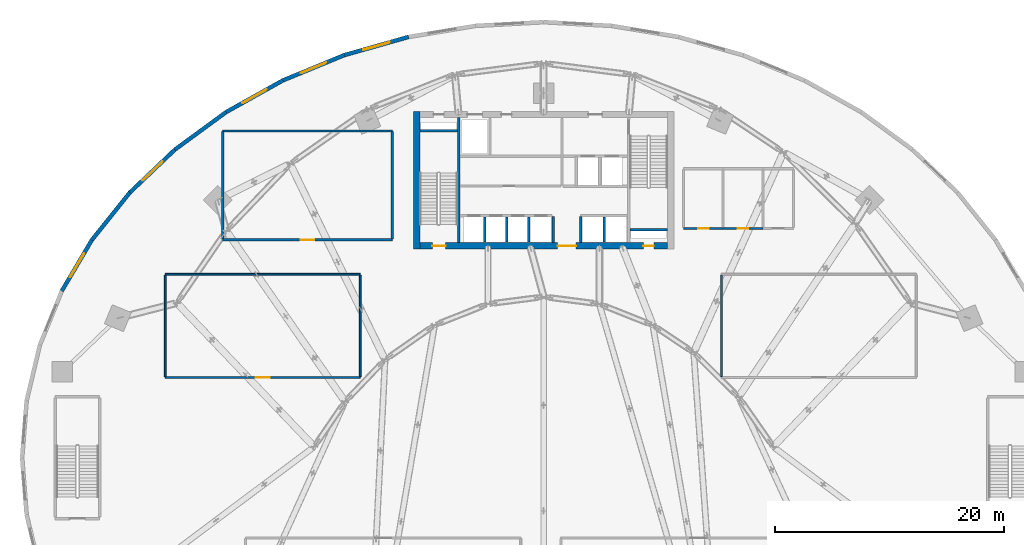
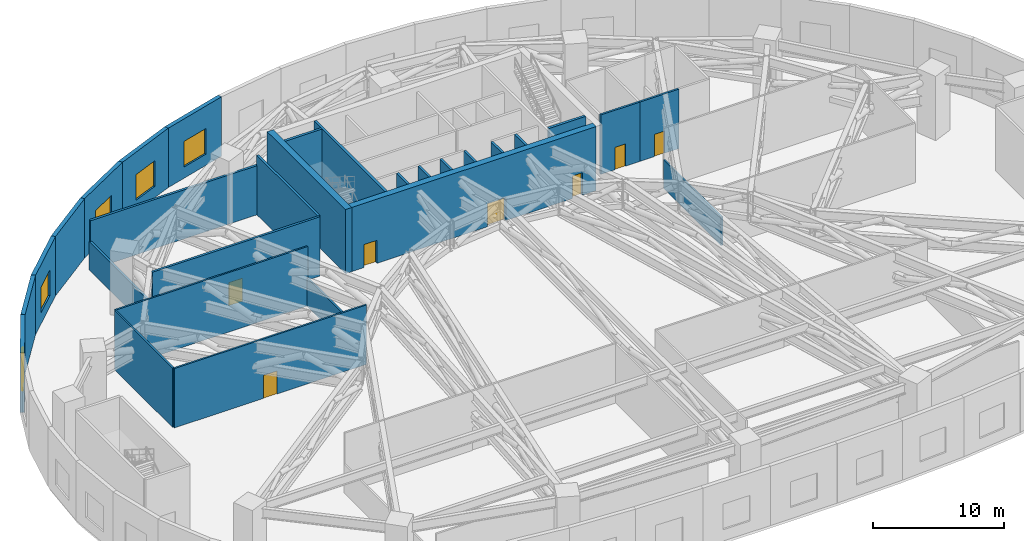
# One storey, part 14 of 19: 29 walls, 7 doors, 5 windows, 12 openings.
"""IFC4 building model written with IfcOpenShell, lengths in metres."""

from ifc_helpers import new_model, si_unit, direction, frame, frame_2d, origin, place, context, subcontext, project, spatial, rectangle, extrude, source, transform, mapped, material, layer, layer_set, type_object, type_shapes, element, fill, save


model = new_model("IFC4")

# Units and contexts
model_context = context("Model", 3, precision=1e-05, world=origin(), true_north=direction((0.0, 1.0)))
body_context = subcontext(model_context, "Body", "Model", "MODEL_VIEW")
ifc_project = project(units=[si_unit("LENGTHUNIT", "METRE"), si_unit("AREAUNIT", "SQUARE_METRE"), si_unit("VOLUMEUNIT", "CUBIC_METRE"), si_unit("PLANEANGLEUNIT", "RADIAN"), si_unit("MASSUNIT", "GRAM", prefix="KILO")], contexts=[model_context])

# Site, building, storey
site_placement = place(None, origin())
site = spatial("IfcSite", under=ifc_project, at=site_placement, CompositionType="ELEMENT")
building_placement = place(site_placement, origin())
building = spatial("IfcBuilding", under=site, at=building_placement, Name="Breltana Convention Tower", CompositionType="ELEMENT")
storey_placement = place(building_placement, frame((0.0, 0.0, 24.0)))
storey = spatial("IfcBuildingStorey", under=building, at=storey_placement, Name="L04", CompositionType="ELEMENT", Elevation=24.0)

# Wall
ifc_material_1 = material(Name="Concrete C60/75", Category="concrete")
ifc_layer_1 = layer(ifc_material_1, 0.550048828125, Name="Concrete C60/75")
ifc_layer_set_1 = layer_set([ifc_layer_1], Name="Concrete C60/75")
wall_type_1 = type_object("IfcWallType", Name="SW-CORE-550", PredefinedType="SHEAR", material=ifc_layer_set_1)
shared_shape_1 = source(origin(), body_context, "Body", "SweptSolid", [
    extrude(rectangle(XDim=12.0, YDim=0.550048828125, at=frame_2d((6.0, 0.0))), origin(), (0.0, 0.0, 1.0), 6.0),
])
wall_1_placement = place(storey_placement, frame((36.925048828125, 60.199951171875, 0.0), z_axis=(0.0, 0.0, 1.0), x_axis=(0.0, 1.0, 0.0)))
element("IfcWall", 1, at=wall_1_placement, inside=storey, type_object=wall_type_1, Name="L04 West Core Shear Wall", PredefinedType="SHEAR", context=body_context, shape_type="MappedRepresentation", body=[
    mapped(shared_shape_1, transform((0.0, 0.0, 0.0), scale=1.0)),
])

# Wall, openings, doors
shared_shape_2 = source(origin(), body_context, "Body", "SweptSolid", [
    extrude(rectangle(XDim=21.60009765625, YDim=0.550048828125, at=frame_2d((10.800048828125, 0.0))), origin(), (0.0, 0.0, 1.0), 6.0),
])
wall_2_placement = place(storey_placement, frame((37.199951171875, 60.47509765625, 0.0), z_axis=(0.0, 0.0, 1.0), x_axis=(1.0, 0.0, 0.0)))
wall_2 = element("IfcWall", 2, at=wall_2_placement, inside=storey, type_object=wall_type_1, Name="L04 South Core Shear Wall", PredefinedType="SHEAR", context=body_context, shape_type="MappedRepresentation", body=[
    mapped(shared_shape_2, transform((0.0, 0.0, 0.0), scale=1.0)),
])
opening_1_placement = place(wall_2_placement, frame((1.10009765625, 0.0, 0.0)))
opening_1 = element("IfcOpeningElement", 3, at=opening_1_placement, cuts=wall_2, Name="Opening D-11", PredefinedType="OPENING", context=body_context, shape_type="SweptSolid", body=[
    extrude(rectangle(XDim=1.14990234375, YDim=2.14990234375, at=frame_2d((0.574951171875, 1.074951171875))), frame((0.0, 0.28515625, 0.0), z_axis=(0.0, -1.0, 0.0), x_axis=(1.0, 0.0, 0.0)), (0.0, 0.0, 1.0), 0.570068359375),
])
opening_2_placement = place(wall_2_placement, frame((19.5, 0.0, 0.0)))
opening_2 = element("IfcOpeningElement", 4, at=opening_2_placement, cuts=wall_2, Name="Opening D-18", PredefinedType="OPENING", context=body_context, shape_type="SweptSolid", body=[
    extrude(rectangle(XDim=0.89990234375, YDim=2.10009765625, at=frame_2d((0.449951171875, 1.050048828125))), frame((0.0, 0.28515625, 0.0), z_axis=(0.0, -1.0, 0.0), x_axis=(1.0, 0.0, 0.0)), (0.0, 0.0, 1.0), 0.570068359375),
])
opening_3_placement = place(wall_2_placement, frame((12.02001953125, 0.0, 0.0)))
opening_3 = element("IfcOpeningElement", 5, at=opening_3_placement, cuts=wall_2, Name="Opening D-02", PredefinedType="OPENING", context=body_context, shape_type="SweptSolid", body=[
    extrude(rectangle(XDim=1.60009765625, YDim=2.14990234375, at=frame_2d((0.800048828125, 1.074951171875))), frame((0.0, 0.28515625, 0.0), z_axis=(0.0, -1.0, 0.0), x_axis=(1.0, 0.0, 0.0)), (0.0, 0.0, 1.0), 0.570068359375),
])
ifc_material_2 = material(Name="Steel Stair Exit Door", Category="steel")
door_type_1 = type_object("IfcDoorType", Name="DR-FD120-1150", OperationType="NOTDEFINED", PredefinedType="DOOR", material=ifc_material_2)
shared_shape_3 = source(origin(), body_context, "Body", "SweptSolid", [
    extrude(rectangle(XDim=1.14990234375, YDim=2.14990234375, at=frame_2d((0.574951171875, 1.074951171875))), frame((0.0, 0.02490234375, 0.0), z_axis=(0.0, -1.0, 0.0), x_axis=(1.0, 0.0, 0.0)), (0.0, 0.0, 1.0), 0.050048828125),
])
type_shapes(door_type_1, [shared_shape_3])
door_1_placement = place(opening_1_placement, origin())
door_1 = element("IfcDoor", 6, at=door_1_placement, inside=storey, type_object=door_type_1, Name="L04 interior door D-L04-ST1", OperationType="SINGLE_SWING_LEFT", OverallHeight=2.14990234375, OverallWidth=1.14990234375, PredefinedType="DOOR", context=body_context, shape_type="MappedRepresentation", body=[
    mapped(shared_shape_3, transform((0.0, 0.0, 0.0), scale=1.0)),
])
fill(opening_1, door_1)
ifc_material_3 = material(Name="Steel Riser Fire Door", Category="steel")
door_type_2 = type_object("IfcDoorType", Name="DR-FD60-900", OperationType="NOTDEFINED", PredefinedType="DOOR", material=ifc_material_3)
shared_shape_4 = source(origin(), body_context, "Body", "SweptSolid", [
    extrude(rectangle(XDim=0.89990234375, YDim=2.10009765625, at=frame_2d((0.449951171875, 1.050048828125))), frame((0.0, 0.02490234375, 0.0), z_axis=(0.0, -1.0, 0.0), x_axis=(1.0, 0.0, 0.0)), (0.0, 0.0, 1.0), 0.050048828125),
])
type_shapes(door_type_2, [shared_shape_4])
door_2_placement = place(opening_2_placement, origin())
door_2 = element("IfcDoor", 7, at=door_2_placement, inside=storey, type_object=door_type_2, Name="L04 Core Riser Access Door D-L04-RS2", OperationType="SINGLE_SWING_RIGHT", OverallHeight=2.10009765625, OverallWidth=0.89990234375, PredefinedType="DOOR", context=body_context, shape_type="MappedRepresentation", body=[
    mapped(shared_shape_4, transform((0.0, 0.0, 0.0), scale=1.0)),
])
fill(opening_2, door_2)
ifc_material_4 = material(Name="Steel Glazed Smoke-Control Door", Category="steel")
door_type_3 = type_object("IfcDoorType", Name="DR-DBL-FD90-1600", OperationType="DOUBLE_DOOR_SINGLE_SWING", PredefinedType="DOOR", material=ifc_material_4)
shared_shape_5 = source(origin(), body_context, "Body", "SweptSolid", [
    extrude(rectangle(XDim=1.60009765625, YDim=2.14990234375, at=frame_2d((0.800048828125, 1.074951171875))), frame((0.0, 0.02490234375, 0.0), z_axis=(0.0, -1.0, 0.0), x_axis=(1.0, 0.0, 0.0)), (0.0, 0.0, 1.0), 0.050048828125),
])
type_shapes(door_type_3, [shared_shape_5])
door_3_placement = place(opening_3_placement, origin())
door_3 = element("IfcDoor", 8, at=door_3_placement, inside=storey, type_object=door_type_3, Name="L04 interior door D-L04-LLB-S", OperationType="DOUBLE_DOOR_SINGLE_SWING", OverallHeight=2.14990234375, OverallWidth=1.60009765625, PredefinedType="DOOR", context=body_context, shape_type="MappedRepresentation", body=[
    mapped(shared_shape_5, transform((0.0, 0.0, 0.0), scale=1.0)),
])
fill(opening_3, door_3)

# Walls
ifc_material_5 = material(Name="Concrete C50/60", Category="concrete")
ifc_layer_2 = layer(ifc_material_5, 0.39990234375, Name="Concrete C50/60")
ifc_layer_set_2 = layer_set([ifc_layer_2], Name="Concrete C50/60")
wall_type_2 = type_object("IfcWallType", Name="SW-CORE-400", PredefinedType="SHEAR", material=ifc_layer_set_2)
shared_shape_6 = source(origin(), body_context, "Body", "SweptSolid", [
    extrude(rectangle(XDim=3.27001953125, YDim=0.219970703125, at=frame_2d((1.635009765625, 0.0))), origin(), (0.0, 0.0, 1.0), 6.0),
])
for number, where, z_axis, x_axis, name in (
    (9, (37.199951171875, 70.510009765625, 0.0), (0.0, 0.0, 1.0), (1.0, 0.0, 0.0), "L04 ST-1 Stairwell North Bearing Wall"),
    (10, (55.530029296875, 61.889892578125, 0.0), (0.0, 0.0, 1.0), (1.0, 0.0, 0.0), "L04 ST-2 Stairwell South Bearing Wall"),
):
    element("IfcWall", number, at=place(storey_placement, frame(where, z_axis=z_axis, x_axis=x_axis)), inside=storey, type_object=wall_type_2, Name=name, PredefinedType="SHEAR", context=body_context, shape_type="MappedRepresentation", body=[
        mapped(shared_shape_6, transform((0.0, 0.0, 0.0), scale=1.0)),
    ])
shared_shape_7 = source(origin(), body_context, "Body", "SweptSolid", [
    extrude(rectangle(XDim=10.89990234375, YDim=0.219970703125, at=frame_2d((5.449951171875, 0.0))), origin(), (0.0, 0.0, 1.0), 6.0),
])
wall_3_placement = place(storey_placement, frame((40.580078125, 60.75, 0.0), z_axis=(0.0, 0.0, 1.0), x_axis=(0.0, 1.0, 0.0)))
element("IfcWall", 11, at=wall_3_placement, inside=storey, type_object=wall_type_2, Name="L04 Core West Stair Spine Wall", PredefinedType="SHEAR", context=body_context, shape_type="MappedRepresentation", body=[
    mapped(shared_shape_7, transform((0.0, 0.0, 0.0), scale=1.0)),
])

# Wall, opening, window
ifc_material_6 = material(Name="Limestone Buff Insulated Wall", Category="masonry")
ifc_layer_3 = layer(ifc_material_6, 0.35009765625, Name="Limestone Buff Insulated Wall")
ifc_layer_set_3 = layer_set([ifc_layer_3], Name="Limestone Buff Insulated Wall")
wall_type_3 = type_object("IfcWallType", Name="WL-EXT-POD-350", PredefinedType="SOLIDWALL", material=ifc_layer_set_3)
shared_shape_8 = source(origin(), body_context, "Body", "SweptSolid", [
    extrude(rectangle(XDim=5.17724609375, YDim=0.35009765625, at=frame_2d((2.588623046875, 0.0))), origin(), (0.0, 0.0, 1.0), 5.550048828125),
])
wall_4_placement = place(storey_placement, frame((8.595703125, 61.0, 0.0), z_axis=(0.0, 0.0, 1.0), x_axis=(-0.508449663637, -0.861091713784, 0.0)))
wall_4 = element("IfcWall", 12, at=wall_4_placement, inside=storey, type_object=wall_type_3, Name="L04 limestone facade wall 21", PredefinedType="SOLIDWALL", context=body_context, shape_type="MappedRepresentation", body=[
    mapped(shared_shape_8, transform((0.0, 0.0, 0.0), scale=1.0)),
])
opening_4_placement = place(wall_4_placement, frame((1.388671875, 0.0, 1.050048828125)))
opening_4 = element("IfcOpeningElement", 13, at=opening_4_placement, cuts=wall_4, Name="Opening W-02", PredefinedType="OPENING", context=body_context, shape_type="SweptSolid", body=[
    extrude(rectangle(XDim=2.39990234375, YDim=2.39990234375, at=frame_2d((1.199951171875, 1.199951171875))), frame((0.0, 0.18505859375, 0.0), z_axis=(0.0, -1.0, 0.0), x_axis=(1.0, 0.0, 0.0)), (0.0, 0.0, 1.0), 0.3701171875),
])
ifc_material_7 = material(Name="Glass Low-E Insulated Window", Category="glass")
window_type = type_object("IfcWindowType", Name="WN-POD-2400X2400", PartitioningType="DOUBLE_PANEL_VERTICAL", PredefinedType="WINDOW", material=ifc_material_7)
shared_shape_9 = source(origin(), body_context, "Body", "SweptSolid", [
    extrude(rectangle(XDim=2.39990234375, YDim=2.39990234375, at=frame_2d((1.199951171875, 1.199951171875))), frame((0.0, 0.030029296875, 0.0), z_axis=(0.0, -1.0, 0.0), x_axis=(1.0, 0.0, 0.0)), (0.0, 0.0, 1.0), 0.06005859375),
])
type_shapes(window_type, [shared_shape_9])
window_1_placement = place(opening_4_placement, origin())
window_1 = element("IfcWindow", 14, at=window_1_placement, inside=storey, type_object=window_type, Name="L04 tripartite window 21.1", OverallHeight=2.39990234375, OverallWidth=2.39990234375, PartitioningType="DOUBLE_PANEL_VERTICAL", PredefinedType="WINDOW", context=body_context, shape_type="MappedRepresentation", body=[
    mapped(shared_shape_9, transform((0.0, 0.0, 0.0), scale=1.0)),
])
fill(opening_4, window_1)

# Wall
shared_shape_10 = source(origin(), body_context, "Body", "SweptSolid", [
    extrude(rectangle(XDim=5.292724609375, YDim=0.35009765625, at=frame_2d((2.646484375, 0.0))), origin(), (0.0, 0.0, 1.0), 5.550048828125),
])
wall_5_placement = place(storey_placement, frame((11.90234375, 65.1328125, 0.0), z_axis=(0.0, 0.0, 1.0), x_axis=(-0.624740048177, -0.780832806818, 0.0)))
element("IfcWall", 15, at=wall_5_placement, inside=storey, type_object=wall_type_3, Name="L04 limestone facade wall 20", PredefinedType="SOLIDWALL", context=body_context, shape_type="MappedRepresentation", body=[
    mapped(shared_shape_10, transform((0.0, 0.0, 0.0), scale=1.0)),
])

# Wall, opening, window
shared_shape_11 = source(origin(), body_context, "Body", "SweptSolid", [
    extrude(rectangle(XDim=5.419189453125, YDim=0.35009765625, at=frame_2d((2.70947265625, 0.0))), origin(), (0.0, 0.0, 1.0), 5.550048828125),
])
wall_6_placement = place(storey_placement, frame((15.82666015625, 68.8701171875, 0.0), z_axis=(0.0, 0.0, 1.0), x_axis=(-0.724150787336, -0.689641673046, 0.0)))
wall_6 = element("IfcWall", 16, at=wall_6_placement, inside=storey, type_object=wall_type_3, Name="L04 limestone facade wall 19", PredefinedType="SOLIDWALL", context=body_context, shape_type="MappedRepresentation", body=[
    mapped(shared_shape_11, transform((0.0, 0.0, 0.0), scale=1.0)),
])
opening_5_placement = place(wall_6_placement, frame((1.509521484375, 0.0, 1.050048828125)))
opening_5 = element("IfcOpeningElement", 17, at=opening_5_placement, cuts=wall_6, Name="Opening W-02", PredefinedType="OPENING", context=body_context, shape_type="SweptSolid", body=[
    extrude(rectangle(XDim=2.39990234375, YDim=2.39990234375, at=frame_2d((1.199951171875, 1.199951171875))), frame((0.0, 0.18505859375, 0.0), z_axis=(0.0, -1.0, 0.0), x_axis=(1.0, 0.0, 0.0)), (0.0, 0.0, 1.0), 0.3701171875),
])
window_2_placement = place(opening_5_placement, origin())
window_2 = element("IfcWindow", 18, at=window_2_placement, inside=storey, type_object=window_type, Name="L04 tripartite window 19.1", OverallHeight=2.39990234375, OverallWidth=2.39990234375, PartitioningType="DOUBLE_PANEL_VERTICAL", PredefinedType="WINDOW", context=body_context, shape_type="MappedRepresentation", body=[
    mapped(shared_shape_9, transform((0.0, 0.0, 0.0), scale=1.0)),
])
fill(opening_5, window_2)

# Wall
shared_shape_12 = source(origin(), body_context, "Body", "SweptSolid", [
    extrude(rectangle(XDim=5.546630859375, YDim=0.35009765625, at=frame_2d((2.7734375, 0.0))), origin(), (0.0, 0.0, 1.0), 5.550048828125),
])
wall_7_placement = place(storey_placement, frame((20.301513671875, 72.1474609375, 0.0), z_axis=(0.0, 0.0, 1.0), x_axis=(-0.806767275837, -0.590869327887, 0.0)))
element("IfcWall", 19, at=wall_7_placement, inside=storey, type_object=wall_type_3, Name="L04 limestone facade wall 18", PredefinedType="SOLIDWALL", context=body_context, shape_type="MappedRepresentation", body=[
    mapped(shared_shape_12, transform((0.0, 0.0, 0.0), scale=1.0)),
])

# Wall, opening, window
shared_shape_13 = source(origin(), body_context, "Body", "SweptSolid", [
    extrude(rectangle(XDim=5.666748046875, YDim=0.35009765625, at=frame_2d((2.83349609375, 0.0))), origin(), (0.0, 0.0, 1.0), 5.550048828125),
])
wall_8_placement = place(storey_placement, frame((25.25, 74.908935546875, 0.0), z_axis=(0.0, 0.0, 1.0), x_axis=(-0.873233089296, -0.487302751642, 0.0)))
wall_8 = element("IfcWall", 20, at=wall_8_placement, inside=storey, type_object=wall_type_3, Name="L04 limestone facade wall 17", PredefinedType="SOLIDWALL", context=body_context, shape_type="MappedRepresentation", body=[
    mapped(shared_shape_13, transform((0.0, 0.0, 0.0), scale=1.0)),
])
opening_6_placement = place(wall_8_placement, frame((1.633544921875, 0.0, 1.050048828125)))
opening_6 = element("IfcOpeningElement", 21, at=opening_6_placement, cuts=wall_8, Name="Opening W-02", PredefinedType="OPENING", context=body_context, shape_type="SweptSolid", body=[
    extrude(rectangle(XDim=2.39990234375, YDim=2.39990234375, at=frame_2d((1.199951171875, 1.199951171875))), frame((0.0, 0.18505859375, 0.0), z_axis=(0.0, -1.0, 0.0), x_axis=(1.0, 0.0, 0.0)), (0.0, 0.0, 1.0), 0.3701171875),
])
window_3_placement = place(opening_6_placement, origin())
window_3 = element("IfcWindow", 22, at=window_3_placement, inside=storey, type_object=window_type, Name="L04 tripartite window 17.1", OverallHeight=2.39990234375, OverallWidth=2.39990234375, PartitioningType="DOUBLE_PANEL_VERTICAL", PredefinedType="WINDOW", context=body_context, shape_type="MappedRepresentation", body=[
    mapped(shared_shape_9, transform((0.0, 0.0, 0.0), scale=1.0)),
])
fill(opening_6, window_3)

shared_shape_14 = source(origin(), body_context, "Body", "SweptSolid", [
    extrude(rectangle(XDim=5.77294921875, YDim=0.35009765625, at=frame_2d((2.886474609375, 0.0))), origin(), (0.0, 0.0, 1.0), 5.550048828125),
])
wall_9_placement = place(storey_placement, frame((30.587890625, 77.107421875, 0.0), z_axis=(0.0, 0.0, 1.0), x_axis=(-0.924645688874, -0.380828504771, 0.0)))
wall_9 = element("IfcWall", 23, at=wall_9_placement, inside=storey, type_object=wall_type_3, Name="L04 limestone facade wall 16", PredefinedType="SOLIDWALL", context=body_context, shape_type="MappedRepresentation", body=[
    mapped(shared_shape_14, transform((0.0, 0.0, 0.0), scale=1.0)),
])
opening_7_placement = place(wall_9_placement, frame((1.686279296875, 0.0, 1.050048828125)))
opening_7 = element("IfcOpeningElement", 24, at=opening_7_placement, cuts=wall_9, Name="Opening W-02", PredefinedType="OPENING", context=body_context, shape_type="SweptSolid", body=[
    extrude(rectangle(XDim=2.39990234375, YDim=2.39990234375, at=frame_2d((1.199951171875, 1.199951171875))), frame((0.0, 0.18505859375, 0.0), z_axis=(0.0, -1.0, 0.0), x_axis=(1.0, 0.0, 0.0)), (0.0, 0.0, 1.0), 0.3701171875),
])
window_4_placement = place(opening_7_placement, origin())
window_4 = element("IfcWindow", 25, at=window_4_placement, inside=storey, type_object=window_type, Name="L04 tripartite window 16.1", OverallHeight=2.39990234375, OverallWidth=2.39990234375, PartitioningType="DOUBLE_PANEL_VERTICAL", PredefinedType="WINDOW", context=body_context, shape_type="MappedRepresentation", body=[
    mapped(shared_shape_9, transform((0.0, 0.0, 0.0), scale=1.0)),
])
fill(opening_7, window_4)

shared_shape_15 = source(origin(), body_context, "Body", "SweptSolid", [
    extrude(rectangle(XDim=5.85791015625, YDim=0.35009765625, at=frame_2d((2.928955078125, 0.0))), origin(), (0.0, 0.0, 1.0), 5.550048828125),
])
wall_10_placement = place(storey_placement, frame((36.2236328125, 78.705078125, 0.0), z_axis=(0.0, 0.0, 1.0), x_axis=(-0.962088093248, -0.272738887637, 0.0)))
wall_10 = element("IfcWall", 26, at=wall_10_placement, inside=storey, type_object=wall_type_3, Name="L04 limestone facade wall 15", PredefinedType="SOLIDWALL", context=body_context, shape_type="MappedRepresentation", body=[
    mapped(shared_shape_15, transform((0.0, 0.0, 0.0), scale=1.0)),
])
opening_8_placement = place(wall_10_placement, frame((1.72900390625, 0.0, 1.050048828125)))
opening_8 = element("IfcOpeningElement", 27, at=opening_8_placement, cuts=wall_10, Name="Opening W-02", PredefinedType="OPENING", context=body_context, shape_type="SweptSolid", body=[
    extrude(rectangle(XDim=2.39990234375, YDim=2.39990234375, at=frame_2d((1.199951171875, 1.199951171875))), frame((0.0, 0.18505859375, 0.0), z_axis=(0.0, -1.0, 0.0), x_axis=(1.0, 0.0, 0.0)), (0.0, 0.0, 1.0), 0.3701171875),
])
window_5_placement = place(opening_8_placement, origin())
window_5 = element("IfcWindow", 28, at=window_5_placement, inside=storey, type_object=window_type, Name="L04 tripartite window 15.1", OverallHeight=2.39990234375, OverallWidth=2.39990234375, PartitioningType="DOUBLE_PANEL_VERTICAL", PredefinedType="WINDOW", context=body_context, shape_type="MappedRepresentation", body=[
    mapped(shared_shape_9, transform((0.0, 0.0, 0.0), scale=1.0)),
])
fill(opening_8, window_5)

# Walls
ifc_material_8 = material(Name="Autoclaved Aerated Concrete Block", Category="concrete")
ifc_layer_4 = layer(ifc_material_8, 0.199951171875, Name="Autoclaved Aerated Concrete Block")
ifc_layer_set_4 = layer_set([ifc_layer_4], Name="Autoclaved Aerated Concrete Block")
wall_type_4 = type_object("IfcWallType", Name="WL-SHAFT-200", PredefinedType="SOLIDWALL", material=ifc_layer_set_4)
shared_shape_16 = source(origin(), body_context, "Body", "SweptSolid", [
    extrude(rectangle(XDim=2.239990234375, YDim=0.199951171875, at=frame_2d((1.1201171875, 0.0))), origin(), (0.0, 0.0, 1.0), 5.550048828125),
])
for number, where, z_axis, x_axis, name in (
    (29, (48.820068359375, 60.780029296875, 0.0), (0.0, 0.0, 1.0), (0.0, 1.0, 0.0), "L04 interior partition W-L04-PORT-W"),
    (30, (51.219970703125, 60.780029296875, 0.0), (0.0, 0.0, 1.0), (0.0, 1.0, 0.0), "L04 interior partition W-L04-PORT-E"),
):
    element("IfcWall", number, at=place(storey_placement, frame(where, z_axis=z_axis, x_axis=x_axis)), inside=storey, type_object=wall_type_4, Name=name, PredefinedType="SOLIDWALL", context=body_context, shape_type="MappedRepresentation", body=[
        mapped(shared_shape_16, transform((0.0, 0.0, 0.0), scale=1.0)),
    ])
shared_shape_17 = source(origin(), body_context, "Body", "SweptSolid", [
    extrude(rectangle(XDim=2.199951171875, YDim=0.199951171875, at=frame_2d((1.10009765625, 0.0))), origin(), (0.0, 0.0, 1.0), 5.550048828125),
])
for number, where, z_axis, x_axis, name in (
    (31, (42.8701171875, 60.800048828125, 0.0), (0.0, 0.0, 1.0), (0.0, 1.0, 0.0), "L04 interior partition W-L04-SH-S-DIV1"),
    (32, (44.77001953125, 60.800048828125, 0.0), (0.0, 0.0, 1.0), (0.0, 1.0, 0.0), "L04 interior partition W-L04-SH-S-DIV2"),
    (33, (46.699951171875, 60.800048828125, 0.0), (0.0, 0.0, 1.0), (0.0, 1.0, 0.0), "L04 interior partition W-L04-SH-S-DIV3"),
    (34, (53.280029296875, 60.800048828125, 0.0), (0.0, 0.0, 1.0), (0.0, 1.0, 0.0), "L04 interior partition W-L04-SH-X-DIV"),
):
    element("IfcWall", number, at=place(storey_placement, frame(where, z_axis=z_axis, x_axis=x_axis)), inside=storey, type_object=wall_type_4, Name=name, PredefinedType="SOLIDWALL", context=body_context, shape_type="MappedRepresentation", body=[
        mapped(shared_shape_17, transform((0.0, 0.0, 0.0), scale=1.0)),
    ])

# Wall, opening, door
ifc_material_9 = material(Name="Cement Board Wet-Area Partition")
ifc_layer_5 = layer(ifc_material_9, 0.175048828125, Name="Cement Board Wet-Area Partition")
ifc_layer_set_5 = layer_set([ifc_layer_5], Name="Cement Board Wet-Area Partition")
wall_type_5 = type_object("IfcWallType", Name="WL-WET-175", PredefinedType="PARTITIONING", material=ifc_layer_set_5)
shared_shape_18 = source(origin(), body_context, "Body", "SweptSolid", [
    extrude(rectangle(XDim=3.4560546875, YDim=0.175048828125, at=frame_2d((1.72802734375, 0.0))), origin(), (0.0, 0.0, 1.0), 5.550048828125),
])
wall_11_placement = place(storey_placement, frame((60.199951171875, 62.0, 0.0), z_axis=(0.0, 0.0, 1.0), x_axis=(1.0, 0.0, 0.0)))
wall_11 = element("IfcWall", 35, at=wall_11_placement, inside=storey, type_object=wall_type_5, Name="L04 interior partition W-L04-WCM-S", PredefinedType="PARTITIONING", context=body_context, shape_type="MappedRepresentation", body=[
    mapped(shared_shape_18, transform((0.0, 0.0, 0.0), scale=1.0)),
])
opening_9_placement = place(wall_11_placement, frame((1.278076171875, 0.0, 0.0)))
opening_9 = element("IfcOpeningElement", 36, at=opening_9_placement, cuts=wall_11, Name="Opening D-19", PredefinedType="OPENING", context=body_context, shape_type="SweptSolid", body=[
    extrude(rectangle(XDim=0.89990234375, YDim=2.080078125, at=frame_2d((0.449951171875, 1.0400390625))), frame((0.0, 0.09765625, 0.0), z_axis=(0.0, -1.0, 0.0), x_axis=(1.0, 0.0, 0.0)), (0.0, 0.0, 1.0), 0.195068359375),
])
ifc_material_10 = material(Name="Timber Moisture-Resistant Door", Category="wood")
door_type_4 = type_object("IfcDoorType", Name="DR-WC-900", OperationType="NOTDEFINED", PredefinedType="DOOR", material=ifc_material_10)
shared_shape_19 = source(origin(), body_context, "Body", "SweptSolid", [
    extrude(rectangle(XDim=0.89990234375, YDim=2.080078125, at=frame_2d((0.449951171875, 1.0400390625))), frame((0.0, 0.02490234375, 0.0), z_axis=(0.0, -1.0, 0.0), x_axis=(1.0, 0.0, 0.0)), (0.0, 0.0, 1.0), 0.050048828125),
])
type_shapes(door_type_4, [shared_shape_19])
door_4_placement = place(opening_9_placement, origin())
door_4 = element("IfcDoor", 37, at=door_4_placement, inside=storey, type_object=door_type_4, Name="L04 interior door D-L04-WCM", OperationType="SINGLE_SWING_RIGHT", OverallHeight=2.080078125, OverallWidth=0.89990234375, PredefinedType="DOOR", context=body_context, shape_type="MappedRepresentation", body=[
    mapped(shared_shape_19, transform((0.0, 0.0, 0.0), scale=1.0)),
])
fill(opening_9, door_4)

wall_12_placement = place(storey_placement, frame((63.656005859375, 62.0, 0.0), z_axis=(0.0, 0.0, 1.0), x_axis=(1.0, 0.0, 0.0)))
wall_12 = element("IfcWall", 38, at=wall_12_placement, inside=storey, type_object=wall_type_5, Name="L04 interior partition W-L04-WCF-S", PredefinedType="PARTITIONING", context=body_context, shape_type="MappedRepresentation", body=[
    mapped(shared_shape_18, transform((0.0, 0.0, 0.0), scale=1.0)),
])
opening_10_placement = place(wall_12_placement, frame((1.278076171875, 0.0, 0.0)))
opening_10 = element("IfcOpeningElement", 39, at=opening_10_placement, cuts=wall_12, Name="Opening D-19", PredefinedType="OPENING", context=body_context, shape_type="SweptSolid", body=[
    extrude(rectangle(XDim=0.89990234375, YDim=2.080078125, at=frame_2d((0.449951171875, 1.0400390625))), frame((0.0, 0.09765625, 0.0), z_axis=(0.0, -1.0, 0.0), x_axis=(1.0, 0.0, 0.0)), (0.0, 0.0, 1.0), 0.195068359375),
])
door_5_placement = place(opening_10_placement, origin())
door_5 = element("IfcDoor", 40, at=door_5_placement, inside=storey, type_object=door_type_4, Name="L04 interior door D-L04-WCF", OperationType="SINGLE_SWING_LEFT", OverallHeight=2.080078125, OverallWidth=0.89990234375, PredefinedType="DOOR", context=body_context, shape_type="MappedRepresentation", body=[
    mapped(shared_shape_19, transform((0.0, 0.0, 0.0), scale=1.0)),
])
fill(opening_10, door_5)

ifc_material_11 = material(Name="Gypsum Acoustic Drywall Partition")
ifc_layer_6 = layer(ifc_material_11, 0.14990234375, Name="Gypsum Acoustic Drywall Partition")
ifc_layer_set_6 = layer_set([ifc_layer_6], Name="Gypsum Acoustic Drywall Partition")
wall_type_6 = type_object("IfcWallType", Name="WL-PART-150", PredefinedType="PARTITIONING", material=ifc_layer_set_6)
shared_shape_20 = source(origin(), body_context, "Body", "SweptSolid", [
    extrude(rectangle(XDim=17.0, YDim=0.14990234375, at=frame_2d((8.5, 0.0))), origin(), (0.0, 0.0, 1.0), 5.550048828125),
])
wall_13_placement = place(storey_placement, frame((15.0, 49.0, 0.0), z_axis=(0.0, 0.0, 1.0), x_axis=(1.0, 0.0, 0.0)))
wall_13 = element("IfcWall", 41, at=wall_13_placement, inside=storey, type_object=wall_type_6, Name="L04 interior partition W-L04-TRN1-S", PredefinedType="PARTITIONING", context=body_context, shape_type="MappedRepresentation", body=[
    mapped(shared_shape_20, transform((0.0, 0.0, 0.0), scale=1.0)),
])
opening_11_placement = place(wall_13_placement, frame((7.89990234375, 0.0, 0.0)))
opening_11 = element("IfcOpeningElement", 42, at=opening_11_placement, cuts=wall_13, Name="Opening D-10", PredefinedType="OPENING", context=body_context, shape_type="SweptSolid", body=[
    extrude(rectangle(XDim=1.199951171875, YDim=2.14990234375, at=frame_2d((0.60009765625, 1.074951171875))), frame((0.0, 0.0849609375, 0.0), z_axis=(0.0, -1.0, 0.0), x_axis=(1.0, 0.0, 0.0)), (0.0, 0.0, 1.0), 0.169921875),
])
ifc_material_12 = material(Name="Timber Oak Veneer Fire Door", Category="wood")
door_type_5 = type_object("IfcDoorType", Name="DR-INT-1200", OperationType="NOTDEFINED", PredefinedType="DOOR", material=ifc_material_12)
shared_shape_21 = source(origin(), body_context, "Body", "SweptSolid", [
    extrude(rectangle(XDim=1.199951171875, YDim=2.14990234375, at=frame_2d((0.60009765625, 1.074951171875))), frame((0.0, 0.02490234375, 0.0), z_axis=(0.0, -1.0, 0.0), x_axis=(1.0, 0.0, 0.0)), (0.0, 0.0, 1.0), 0.050048828125),
])
type_shapes(door_type_5, [shared_shape_21])
door_6_placement = place(opening_11_placement, origin())
door_6 = element("IfcDoor", 43, at=door_6_placement, inside=storey, type_object=door_type_5, Name="L04 interior door D-L04-TRN1", OperationType="SINGLE_SWING_LEFT", OverallHeight=2.14990234375, OverallWidth=1.199951171875, PredefinedType="DOOR", context=body_context, shape_type="MappedRepresentation", body=[
    mapped(shared_shape_21, transform((0.0, 0.0, 0.0), scale=1.0)),
])
fill(opening_11, door_6)

# Walls
wall_14_placement = place(storey_placement, frame((15.0, 58.0, 0.0), z_axis=(0.0, 0.0, 1.0), x_axis=(1.0, 0.0, 0.0)))
element("IfcWall", 44, at=wall_14_placement, inside=storey, type_object=wall_type_6, Name="L04 interior partition W-L04-TRN1-N", PredefinedType="PARTITIONING", context=body_context, shape_type="MappedRepresentation", body=[
    mapped(shared_shape_20, transform((0.0, 0.0, 0.0), scale=1.0)),
])
shared_shape_22 = source(origin(), body_context, "Body", "SweptSolid", [
    extrude(rectangle(XDim=8.865234375, YDim=0.14990234375, at=frame_2d((4.4326171875, 0.0))), origin(), (0.0, 0.0, 1.0), 5.550048828125),
])
wall_15_placement = place(storey_placement, frame((15.0, 49.0673828125, 0.0), z_axis=(0.0, 0.0, 1.0), x_axis=(0.0, 1.0, 0.0)))
element("IfcWall", 45, at=wall_15_placement, inside=storey, type_object=wall_type_6, Name="L04 interior partition W-L04-TRN1-W", PredefinedType="PARTITIONING", context=body_context, shape_type="MappedRepresentation", body=[
    mapped(shared_shape_22, transform((0.0, 0.0, 0.0), scale=1.0)),
])
shared_shape_23 = source(origin(), body_context, "Body", "SweptSolid", [
    extrude(rectangle(XDim=8.865234375, YDim=0.14990234375, at=frame_2d((4.4326171875, 0.0))), origin(), (0.0, 0.0, 1.0), 2.659912109375),
])
for number, where, z_axis, x_axis, name in (
    (46, (32.0, 49.0673828125, 0.0), (0.0, 0.0, 1.0), (0.0, 1.0, 0.0), "L04 interior partition W-L04-TRN1-E"),
    (47, (63.5, 49.0673828125, 0.0), (0.0, 0.0, 1.0), (0.0, 1.0, 0.0), "L04 interior partition W-L04-TRN2-W"),
):
    element("IfcWall", number, at=place(storey_placement, frame(where, z_axis=z_axis, x_axis=x_axis)), inside=storey, type_object=wall_type_6, Name=name, PredefinedType="PARTITIONING", context=body_context, shape_type="MappedRepresentation", body=[
        mapped(shared_shape_23, transform((0.0, 0.0, 0.0), scale=1.0)),
    ])

# Wall, opening, door
shared_shape_24 = source(origin(), body_context, "Body", "SweptSolid", [
    extrude(rectangle(XDim=14.800048828125, YDim=0.199951171875, at=frame_2d((7.39990234375, 0.0))), origin(), (0.0, 0.0, 1.0), 5.550048828125),
])
wall_16_placement = place(storey_placement, frame((20.0, 61.0, 0.0), z_axis=(0.0, 0.0, 1.0), x_axis=(1.0, 0.0, 0.0)))
wall_16 = element("IfcWall", 48, at=wall_16_placement, inside=storey, type_object=wall_type_4, Name="L04 interior partition W-L04-TPLT-S", PredefinedType="SOLIDWALL", context=body_context, shape_type="MappedRepresentation", body=[
    mapped(shared_shape_24, transform((0.0, 0.0, 0.0), scale=1.0)),
])
opening_12_placement = place(wall_16_placement, frame((6.800048828125, 0.0, 0.0)))
opening_12 = element("IfcOpeningElement", 49, at=opening_12_placement, cuts=wall_16, Name="Opening D-09", PredefinedType="OPENING", context=body_context, shape_type="SweptSolid", body=[
    extrude(rectangle(XDim=1.199951171875, YDim=2.14990234375, at=frame_2d((0.60009765625, 1.074951171875))), frame((0.0, 0.10986328125, 0.0), z_axis=(0.0, -1.0, 0.0), x_axis=(1.0, 0.0, 0.0)), (0.0, 0.0, 1.0), 0.219970703125),
])
ifc_material_13 = material(Name="Steel Fire Lobby Door", Category="steel")
door_type_6 = type_object("IfcDoorType", Name="DR-FD120-1200", OperationType="NOTDEFINED", PredefinedType="DOOR", material=ifc_material_13)
shared_shape_25 = source(origin(), body_context, "Body", "SweptSolid", [
    extrude(rectangle(XDim=1.199951171875, YDim=2.14990234375, at=frame_2d((0.60009765625, 1.074951171875))), frame((0.0, 0.02490234375, 0.0), z_axis=(0.0, -1.0, 0.0), x_axis=(1.0, 0.0, 0.0)), (0.0, 0.0, 1.0), 0.050048828125),
])
type_shapes(door_type_6, [shared_shape_25])
door_7_placement = place(opening_12_placement, origin())
door_7 = element("IfcDoor", 50, at=door_7_placement, inside=storey, type_object=door_type_6, Name="L04 interior door D-L04-TPLT", OperationType="SINGLE_SWING_LEFT", OverallHeight=2.14990234375, OverallWidth=1.199951171875, PredefinedType="DOOR", context=body_context, shape_type="MappedRepresentation", body=[
    mapped(shared_shape_25, transform((0.0, 0.0, 0.0), scale=1.0)),
])
fill(opening_12, door_7)

# Walls
shared_shape_26 = source(origin(), body_context, "Body", "SweptSolid", [
    extrude(rectangle(XDim=14.800048828125, YDim=0.199951171875, at=frame_2d((7.39990234375, 0.0))), origin(), (0.0, 0.0, 1.0), 4.592529296875),
])
wall_17_placement = place(storey_placement, frame((20.0, 70.5, 0.0), z_axis=(0.0, 0.0, 1.0), x_axis=(1.0, 0.0, 0.0)))
element("IfcWall", 51, at=wall_17_placement, inside=storey, type_object=wall_type_4, Name="L04 interior partition W-L04-TPLT-N", PredefinedType="SOLIDWALL", context=body_context, shape_type="MappedRepresentation", body=[
    mapped(shared_shape_26, transform((0.0, 0.0, 0.0), scale=1.0)),
])
shared_shape_27 = source(origin(), body_context, "Body", "SweptSolid", [
    extrude(rectangle(XDim=9.365234375, YDim=0.199951171875, at=frame_2d((4.6826171875, 0.0))), origin(), (0.0, 0.0, 1.0), 2.659912109375),
])
wall_18_placement = place(storey_placement, frame((20.0, 61.0673828125, 0.0), z_axis=(0.0, 0.0, 1.0), x_axis=(0.0, 1.0, 0.0)))
element("IfcWall", 52, at=wall_18_placement, inside=storey, type_object=wall_type_4, Name="L04 interior partition W-L04-TPLT-W", PredefinedType="SOLIDWALL", context=body_context, shape_type="MappedRepresentation", body=[
    mapped(shared_shape_27, transform((0.0, 0.0, 0.0), scale=1.0)),
])
shared_shape_28 = source(origin(), body_context, "Body", "SweptSolid", [
    extrude(rectangle(XDim=9.365234375, YDim=0.199951171875, at=frame_2d((4.6826171875, 0.0))), origin(), (0.0, 0.0, 1.0), 5.550048828125),
])
wall_19_placement = place(storey_placement, frame((34.800048828125, 61.0673828125, 0.0), z_axis=(0.0, 0.0, 1.0), x_axis=(0.0, 1.0, 0.0)))
element("IfcWall", 53, at=wall_19_placement, inside=storey, type_object=wall_type_4, Name="L04 interior partition W-L04-TPLT-E", PredefinedType="SOLIDWALL", context=body_context, shape_type="MappedRepresentation", body=[
    mapped(shared_shape_28, transform((0.0, 0.0, 0.0), scale=1.0)),
])

save(model, "model.ifc")
